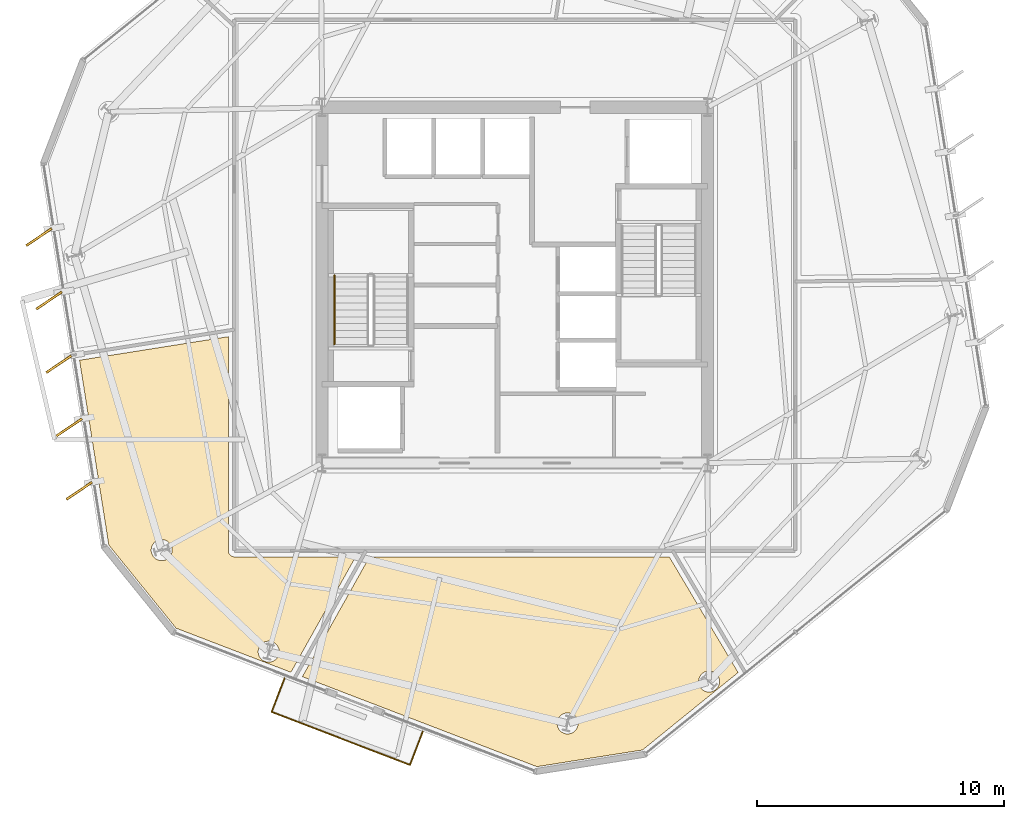
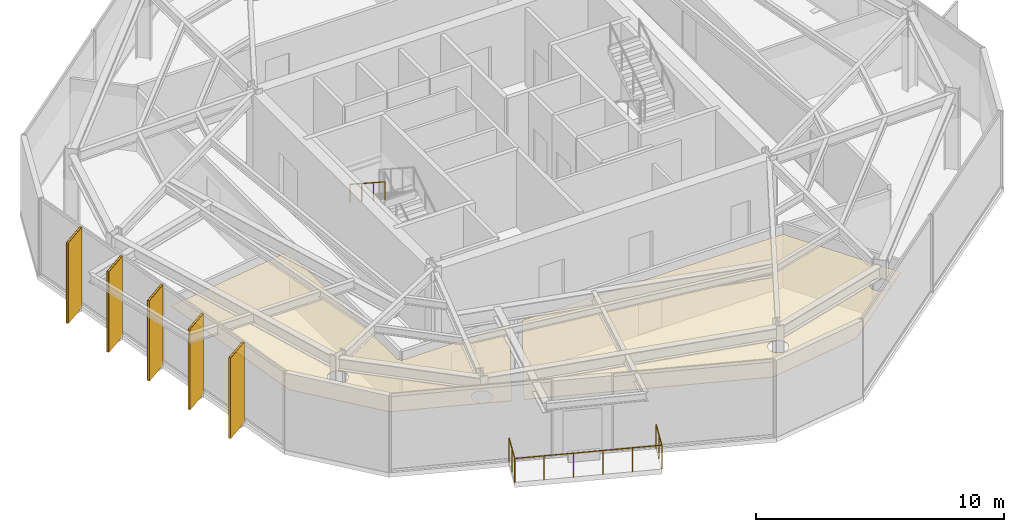
# One storey, part 9 of 12: 7 coverings, 5 shading devices, 2 railings.
"""IFC4 building model written with IfcOpenShell, lengths in metres."""

from ifc_helpers import new_model, si_unit, direction, frame, origin, origin_2d, place, context, subcontext, project, spatial, polyline, rectangle, circle, outline, extrude, material, layer, layer_set, type_object, element, save


model = new_model("IFC4")

# Units and contexts
model_context = context("Model", 3, precision=1e-05, world=origin(), true_north=direction((0.0, 1.0)))
body_context = subcontext(model_context, "Body", "Model", "MODEL_VIEW")
ifc_project = project(units=[si_unit("LENGTHUNIT", "METRE"), si_unit("AREAUNIT", "SQUARE_METRE"), si_unit("VOLUMEUNIT", "CUBIC_METRE"), si_unit("PLANEANGLEUNIT", "RADIAN"), si_unit("MASSUNIT", "GRAM", prefix="KILO")], contexts=[model_context])

# Site, building, storey
site_placement = place(None, origin())
site = spatial("IfcSite", under=ifc_project, at=site_placement, CompositionType="ELEMENT")
building_placement = place(site_placement, origin())
building = spatial("IfcBuilding", under=site, at=building_placement, Name="Kranzbogen Civic Tower", CompositionType="ELEMENT")
storey_placement = place(building_placement, frame((0.0, 0.0, 180.800048828125)))
storey = spatial("IfcBuildingStorey", under=building, at=storey_placement, Name="L43", CompositionType="ELEMENT", Elevation=180.800048828125)

# Coverings
ifc_material_1 = material(Name="Pale Anodised Aluminium", Category="aluminium")
ifc_layer_1 = layer(ifc_material_1, 0.02490234375, Name="Pale Anodised Aluminium")
ifc_layer_set_1 = layer_set([ifc_layer_1], Name="Pale Anodised Aluminium")
covering_type_1 = type_object("IfcCoveringType", Name="Anodised Aluminium Vertical Fin Cladding 25 mm", PredefinedType="CLADDING", material=ifc_layer_set_1)
for number, where, z_axis, x_axis, name in (
    (1, (5.741943359375, 26.947021484375, -0.14013671875), (0.0, 0.0, 1.0), (-0.829174184407, -0.558990314686, 0.0), "L43 vertical fin pale-metal cladding F3-1"),
    (2, (6.14892578125, 24.37890625, -0.14013671875), (0.0, 0.0, 1.0), (-0.829174184407, -0.558990314686, 0.0), "L43 vertical fin pale-metal cladding F3-2"),
    (3, (6.554931640625, 21.81103515625, -0.14013671875), (0.0, 0.0, 1.0), (-0.829174184407, -0.558990314686, 0.0), "L43 vertical fin pale-metal cladding F3-3"),
    (4, (6.9619140625, 19.242919921875, -0.14013671875), (0.0, 0.0, 1.0), (-0.829174184407, -0.558990314686, 0.0), "L43 vertical fin pale-metal cladding F3-4"),
    (5, (7.367919921875, 16.675048828125, -0.14013671875), (0.0, 0.0, 1.0), (-0.829174184407, -0.558990314686, 0.0), "L43 vertical fin pale-metal cladding F3-5"),
):
    element("IfcCovering", number, at=place(storey_placement, frame(where, z_axis=z_axis, x_axis=x_axis)), inside=storey, type_object=covering_type_1, Name=name, PredefinedType="CLADDING", context=body_context, shape_type="SweptSolid", body=[
        extrude(rectangle(XDim=1.25, YDim=0.10009765625, at=origin_2d()), origin(), (0.0, 0.0, 1.0), 3.9599609375),
    ])

# Shading devices
ifc_material_2 = material(Name="Anodised Bronze Aluminium", Category="aluminium")
shading_device_type = type_object("IfcShadingDeviceType", Name="Anodised Bronze Vertical Facade Fin 1250x80", PredefinedType="USERDEFINED", material=ifc_material_2)
for number, where, z_axis, x_axis, name in (
    (6, (5.741943359375, 26.947021484375, -0.14013671875), (0.0, 0.0, 1.0), (-0.829174184407, -0.558990314686, 0.0), "L43 vertical exterior shading fin F3-1"),
    (7, (6.14892578125, 24.37890625, -0.14013671875), (0.0, 0.0, 1.0), (-0.829174184407, -0.558990314686, 0.0), "L43 vertical exterior shading fin F3-2"),
    (8, (6.554931640625, 21.81103515625, -0.14013671875), (0.0, 0.0, 1.0), (-0.829174184407, -0.558990314686, 0.0), "L43 vertical exterior shading fin F3-3"),
    (9, (6.9619140625, 19.242919921875, -0.14013671875), (0.0, 0.0, 1.0), (-0.829174184407, -0.558990314686, 0.0), "L43 vertical exterior shading fin F3-4"),
    (10, (7.367919921875, 16.675048828125, -0.14013671875), (0.0, 0.0, 1.0), (-0.829174184407, -0.558990314686, 0.0), "L43 vertical exterior shading fin F3-5"),
):
    element("IfcShadingDevice", number, at=place(storey_placement, frame(where, z_axis=z_axis, x_axis=x_axis)), inside=storey, type_object=shading_device_type, Name=name, ObjectType="FIN", PredefinedType="USERDEFINED", context=body_context, shape_type="SweptSolid", body=[
        extrude(rectangle(XDim=1.25, YDim=0.080078125, at=origin_2d()), origin(), (0.0, 0.0, 1.0), 3.9599609375),
    ])

# Railing
railing_type_1 = type_object("IfcRailingType", Name="Cantilevered Balcony Glass and Bronze Balustrade 1200", PredefinedType="BALUSTRADE", material=ifc_material_2)
railing_1_placement = place(storey_placement, frame((15.677001953125, 9.083984375, 0.0)))
element("IfcRailing", 11, at=railing_1_placement, inside=storey, type_object=railing_type_1, Name="L43 exterior terrace balustrade L43-TB2", PredefinedType="BALUSTRADE", context=body_context, shape_type="SweptSolid", body=[
    extrude(circle(Radius=0.02392578125, at=origin_2d()), frame((0.0, 0.0, 1.17578125), z_axis=(-0.358527862476, -0.933519025959, 0.0), x_axis=(0.933519025959, -0.358527862476, 0.0)), (0.0, 0.0, 1.0), 1.450439453125),
    extrude(circle(Radius=0.02392578125, at=origin_2d()), frame((-0.52001953125, -1.35400390625, 1.17578125), z_axis=(0.933588713349, -0.358346360812, 0.0), x_axis=(0.358346360812, 0.933588713349, 0.0)), (0.0, 0.0, 1.0), 5.99951171875),
    extrude(circle(Radius=0.02392578125, at=origin_2d()), frame((5.0810546875, -3.50390625, 1.17578125), z_axis=(0.358527862476, 0.933519025959, 0.0), x_axis=(-0.933519025959, 0.358527862476, 0.0)), (0.0, 0.0, 1.0), 1.450439453125),
    extrude(circle(Radius=0.02099609375, at=origin_2d()), origin(), (0.0, 0.0, 1.0), 1.15185546875),
    extrude(circle(Radius=0.02099609375, at=origin_2d()), frame((-0.260009765625, -0.677001953125, 0.0)), (0.0, 0.0, 1.0), 1.15185546875),
    extrude(circle(Radius=0.02099609375, at=origin_2d()), frame((-0.52001953125, -1.35400390625, 0.0)), (0.0, 0.0, 1.0), 1.15185546875),
    extrude(circle(Radius=0.02099609375, at=origin_2d()), frame((0.60009765625, -1.783935546875, 0.0)), (0.0, 0.0, 1.0), 1.15185546875),
    extrude(circle(Radius=0.02099609375, at=origin_2d()), frame((1.720458984375, -2.2138671875, 0.0)), (0.0, 0.0, 1.0), 1.15185546875),
    extrude(circle(Radius=0.02099609375, at=origin_2d()), frame((2.840576171875, -2.64404296875, 0.0)), (0.0, 0.0, 1.0), 1.15185546875),
    extrude(circle(Radius=0.02099609375, at=origin_2d()), frame((3.9609375, -3.073974609375, 0.0)), (0.0, 0.0, 1.0), 1.15185546875),
    extrude(circle(Radius=0.02099609375, at=origin_2d()), frame((5.0810546875, -3.50390625, 0.0)), (0.0, 0.0, 1.0), 1.15185546875),
    extrude(circle(Radius=0.02099609375, at=origin_2d()), frame((5.341064453125, -2.826904296875, 0.0)), (0.0, 0.0, 1.0), 1.15185546875),
    extrude(circle(Radius=0.02099609375, at=origin_2d()), frame((5.60107421875, -2.14990234375, 0.0)), (0.0, 0.0, 1.0), 1.15185546875),
])

# Coverings
ifc_material_3 = material(Name="Perforated Acoustic Gypsum Ceiling")
ifc_layer_2 = layer(ifc_material_3, 0.02490234375, Name="Perforated Acoustic Gypsum Ceiling")
ifc_layer_set_2 = layer_set([ifc_layer_2], Name="Perforated Acoustic Gypsum Ceiling")
covering_type_2 = type_object("IfcCoveringType", Name="Perforated Acoustic Mineral Ceiling Tile 25 mm", PredefinedType="CEILING", material=ifc_layer_set_2)
covering_1_placement = place(storey_placement, frame((0.0, 0.0, 2.75)))
element("IfcCovering", 12, at=covering_1_placement, inside=storey, type_object=covering_type_2, Name="L43 Civic Reference Library acoustic ceiling", PredefinedType="CEILING", context=body_context, shape_type="SweptSolid", body=[
    extrude(outline(polyline([(8.568115234375, 14.47802734375), (7.383056640625, 21.9619140625), (13.405029296875, 22.916015625), (13.405029296875, 14.25), (13.405029296875, 14.240966796875), (13.406005859375, 14.235107421875), (13.406982421875, 14.217041015625), (13.407958984375, 14.2109375), (13.412109375, 14.194091796875), (13.4130859375, 14.18701171875), (13.41796875, 14.169921875), (13.419921875, 14.1640625), (13.427001953125, 14.14794921875), (13.429931640625, 14.14208984375), (13.43798828125, 14.126953125), (13.44189453125, 14.12109375), (13.450927734375, 14.10693359375), (13.455078125, 14.10205078125), (13.466064453125, 14.087890625), (13.470947265625, 14.0830078125), (13.48291015625, 14.071044921875), (13.488037109375, 14.06591796875), (13.501953125, 14.054931640625), (13.507080078125, 14.051025390625), (13.52099609375, 14.0419921875), (13.527099609375, 14.0380859375), (13.5419921875, 14.030029296875), (13.548095703125, 14.027099609375), (13.56396484375, 14.02001953125), (13.570068359375, 14.01806640625), (13.5869140625, 14.012939453125), (13.593994140625, 14.011962890625), (13.611083984375, 14.008056640625), (13.616943359375, 14.007080078125), (13.635009765625, 14.006103515625), (13.64111328125, 14.0048828125), (13.64990234375, 14.0048828125), (18.55908203125, 14.0048828125), (15.93994140625, 9.330078125), (11.291015625, 11.114990234375), (8.568115234375, 14.47802734375)]), holes=[polyline([(15.431884765625, 10.001953125), (15.4140625, 9.964111328125), (15.39306640625, 9.928955078125), (15.367919921875, 9.89501953125), (15.340087890625, 9.864013671875), (15.30908203125, 9.8359375), (15.27490234375, 9.81103515625), (15.239990234375, 9.7900390625), (15.201904296875, 9.77197265625), (15.1630859375, 9.758056640625), (15.1220703125, 9.748046875), (15.0810546875, 9.741943359375), (15.0390625, 9.739990234375), (14.9970703125, 9.741943359375), (14.9560546875, 9.748046875), (14.9150390625, 9.758056640625), (14.8759765625, 9.77197265625), (14.837890625, 9.7900390625), (14.802978515625, 9.81103515625), (14.76904296875, 9.8359375), (14.738037109375, 9.864013671875), (14.7099609375, 9.89501953125), (14.68505859375, 9.928955078125), (14.6640625, 9.964111328125), (14.64599609375, 10.001953125), (14.632080078125, 10.041015625), (14.6220703125, 10.08203125), (14.615966796875, 10.123046875), (14.614013671875, 10.1650390625), (14.615966796875, 10.20703125), (14.6220703125, 10.248046875), (14.632080078125, 10.2890625), (14.64599609375, 10.327880859375), (14.6640625, 10.365966796875), (14.68505859375, 10.40087890625), (14.7099609375, 10.43505859375), (14.738037109375, 10.466064453125), (14.76904296875, 10.493896484375), (14.802978515625, 10.51904296875), (14.837890625, 10.5400390625), (14.8759765625, 10.55810546875), (14.9150390625, 10.572021484375), (14.9560546875, 10.58203125), (14.9970703125, 10.587890625), (15.0390625, 10.590087890625), (15.0810546875, 10.587890625), (15.1220703125, 10.58203125), (15.1630859375, 10.572021484375), (15.201904296875, 10.55810546875), (15.239990234375, 10.5400390625), (15.27490234375, 10.51904296875), (15.30908203125, 10.493896484375), (15.340087890625, 10.466064453125), (15.367919921875, 10.43505859375), (15.39306640625, 10.40087890625), (15.4140625, 10.365966796875), (15.431884765625, 10.327880859375), (15.446044921875, 10.2890625), (15.4560546875, 10.248046875), (15.4619140625, 10.20703125), (15.464111328125, 10.1650390625), (15.4619140625, 10.123046875), (15.4560546875, 10.08203125), (15.446044921875, 10.041015625), (15.431884765625, 10.001953125)]), polyline([(11.10009765625, 14.113037109375), (11.08203125, 14.074951171875), (11.06103515625, 14.0400390625), (11.035888671875, 14.006103515625), (11.008056640625, 13.97509765625), (10.97705078125, 13.947021484375), (10.943115234375, 13.922119140625), (10.907958984375, 13.90087890625), (10.8701171875, 13.883056640625), (10.8310546875, 13.868896484375), (10.7900390625, 13.85888671875), (10.7490234375, 13.85302734375), (10.70703125, 13.85107421875), (10.6650390625, 13.85302734375), (10.6240234375, 13.85888671875), (10.5830078125, 13.868896484375), (10.5439453125, 13.883056640625), (10.506103515625, 13.90087890625), (10.470947265625, 13.922119140625), (10.43701171875, 13.947021484375), (10.406005859375, 13.97509765625), (10.3779296875, 14.006103515625), (10.35302734375, 14.0400390625), (10.33203125, 14.074951171875), (10.31396484375, 14.113037109375), (10.300048828125, 14.152099609375), (10.2900390625, 14.193115234375), (10.283935546875, 14.23388671875), (10.281982421875, 14.27587890625), (10.283935546875, 14.318115234375), (10.2900390625, 14.35888671875), (10.300048828125, 14.39990234375), (10.31396484375, 14.43896484375), (10.33203125, 14.47705078125), (10.35302734375, 14.511962890625), (10.3779296875, 14.5458984375), (10.406005859375, 14.576904296875), (10.43701171875, 14.60498046875), (10.470947265625, 14.6298828125), (10.506103515625, 14.65087890625), (10.5439453125, 14.6689453125), (10.5830078125, 14.68310546875), (10.6240234375, 14.693115234375), (10.6650390625, 14.698974609375), (10.70703125, 14.700927734375), (10.7490234375, 14.698974609375), (10.7900390625, 14.693115234375), (10.8310546875, 14.68310546875), (10.8701171875, 14.6689453125), (10.907958984375, 14.65087890625), (10.943115234375, 14.6298828125), (10.97705078125, 14.60498046875), (11.008056640625, 14.576904296875), (11.035888671875, 14.5458984375), (11.06103515625, 14.511962890625), (11.08203125, 14.47705078125), (11.10009765625, 14.43896484375), (11.114013671875, 14.39990234375), (11.1240234375, 14.35888671875), (11.1298828125, 14.318115234375), (11.132080078125, 14.27587890625), (11.1298828125, 14.23388671875), (11.1240234375, 14.193115234375), (11.114013671875, 14.152099609375), (11.10009765625, 14.113037109375)])]), origin(), (0.0, 0.0, 1.0), 0.02490234375),
])
covering_2_placement = place(storey_placement, frame((0.0, 0.0, 2.75)))
element("IfcCovering", 13, at=covering_2_placement, inside=storey, type_object=covering_type_2, Name="L43 Urban Design Workshop acoustic ceiling", PredefinedType="CEILING", context=body_context, shape_type="SweptSolid", body=[
    extrude(outline(polyline([(25.89697265625, 5.509033203125), (16.403076171875, 9.153076171875), (19.12109375, 14.0048828125), (31.25390625, 14.0048828125), (34.041015625, 9.320068359375), (30.169921875, 6.18505859375), (25.89697265625, 5.509033203125)]), holes=[polyline([(27.532958984375, 7.096923828125), (27.514892578125, 7.05908203125), (27.493896484375, 7.02392578125), (27.468994140625, 6.989990234375), (27.44091796875, 6.958984375), (27.409912109375, 6.930908203125), (27.3759765625, 6.906005859375), (27.341064453125, 6.885009765625), (27.302978515625, 6.866943359375), (27.263916015625, 6.85302734375), (27.222900390625, 6.843017578125), (27.181884765625, 6.8369140625), (27.139892578125, 6.8349609375), (27.097900390625, 6.8369140625), (27.056884765625, 6.843017578125), (27.01611328125, 6.85302734375), (26.97705078125, 6.866943359375), (26.93896484375, 6.885009765625), (26.904052734375, 6.906005859375), (26.8701171875, 6.930908203125), (26.839111328125, 6.958984375), (26.81103515625, 6.989990234375), (26.785888671875, 7.02392578125), (26.764892578125, 7.05908203125), (26.7470703125, 7.096923828125), (26.73291015625, 7.135986328125), (26.722900390625, 7.177001953125), (26.717041015625, 7.218017578125), (26.715087890625, 7.260009765625), (26.717041015625, 7.302001953125), (26.722900390625, 7.343017578125), (26.73291015625, 7.384033203125), (26.7470703125, 7.423095703125), (26.764892578125, 7.4609375), (26.785888671875, 7.49609375), (26.81103515625, 7.530029296875), (26.839111328125, 7.56103515625), (26.8701171875, 7.589111328125), (26.904052734375, 7.614013671875), (26.93896484375, 7.635009765625), (26.97705078125, 7.653076171875), (27.01611328125, 7.6669921875), (27.056884765625, 7.677001953125), (27.097900390625, 7.68310546875), (27.139892578125, 7.68505859375), (27.181884765625, 7.68310546875), (27.222900390625, 7.677001953125), (27.263916015625, 7.6669921875), (27.302978515625, 7.653076171875), (27.341064453125, 7.635009765625), (27.3759765625, 7.614013671875), (27.409912109375, 7.589111328125), (27.44091796875, 7.56103515625), (27.468994140625, 7.530029296875), (27.493896484375, 7.49609375), (27.514892578125, 7.4609375), (27.532958984375, 7.423095703125), (27.547119140625, 7.384033203125), (27.556884765625, 7.343017578125), (27.56298828125, 7.302001953125), (27.56494140625, 7.260009765625), (27.56298828125, 7.218017578125), (27.556884765625, 7.177001953125), (27.547119140625, 7.135986328125), (27.532958984375, 7.096923828125)]), polyline([(33.260009765625, 8.79296875), (33.241943359375, 8.7548828125), (33.220947265625, 8.719970703125), (33.196044921875, 8.68603515625), (33.16796875, 8.655029296875), (33.136962890625, 8.626953125), (33.10302734375, 8.60205078125), (33.068115234375, 8.5810546875), (33.030029296875, 8.56298828125), (32.990966796875, 8.549072265625), (32.949951171875, 8.5390625), (32.908935546875, 8.532958984375), (32.866943359375, 8.531005859375), (32.824951171875, 8.532958984375), (32.783935546875, 8.5390625), (32.742919921875, 8.549072265625), (32.7041015625, 8.56298828125), (32.666015625, 8.5810546875), (32.631103515625, 8.60205078125), (32.596923828125, 8.626953125), (32.56591796875, 8.655029296875), (32.5380859375, 8.68603515625), (32.512939453125, 8.719970703125), (32.491943359375, 8.7548828125), (32.47412109375, 8.79296875), (32.4599609375, 8.83203125), (32.449951171875, 8.873046875), (32.444091796875, 8.9140625), (32.44189453125, 8.9560546875), (32.444091796875, 8.998046875), (32.449951171875, 9.0390625), (32.4599609375, 9.080078125), (32.47412109375, 9.118896484375), (32.491943359375, 9.156982421875), (32.512939453125, 9.19189453125), (32.5380859375, 9.22607421875), (32.56591796875, 9.257080078125), (32.596923828125, 9.284912109375), (32.631103515625, 9.31005859375), (32.666015625, 9.3310546875), (32.7041015625, 9.34912109375), (32.742919921875, 9.363037109375), (32.783935546875, 9.373046875), (32.824951171875, 9.37890625), (32.866943359375, 9.381103515625), (32.908935546875, 9.37890625), (32.949951171875, 9.373046875), (32.990966796875, 9.363037109375), (33.030029296875, 9.34912109375), (33.068115234375, 9.3310546875), (33.10302734375, 9.31005859375), (33.136962890625, 9.284912109375), (33.16796875, 9.257080078125), (33.196044921875, 9.22607421875), (33.220947265625, 9.19189453125), (33.241943359375, 9.156982421875), (33.260009765625, 9.118896484375), (33.27392578125, 9.080078125), (33.283935546875, 9.0390625), (33.2900390625, 8.998046875), (33.2919921875, 8.9560546875), (33.2900390625, 8.9140625), (33.283935546875, 8.873046875), (33.27392578125, 8.83203125), (33.260009765625, 8.79296875)])]), origin(), (0.0, 0.0, 1.0), 0.02490234375),
])

# Railing
railing_type_2 = type_object("IfcRailingType", Name="Tubular Stainless Stair Wall Handrail 900", PredefinedType="HANDRAIL", material=ifc_material_1)
railing_2_placement = place(storey_placement, frame((17.699951171875, 25.39990234375, 2.181884765625)))
element("IfcRailing", 14, at=railing_2_placement, inside=storey, type_object=railing_type_2, Name="L43 ST-T1 stair handrail 2", PredefinedType="HANDRAIL", context=body_context, shape_type="SweptSolid", body=[
    extrude(circle(Radius=0.02392578125, at=origin_2d()), frame((0.0, 0.0, 0.8759765625), z_axis=(0.0, -0.83868413941, 0.544618136222), x_axis=(1.0, 0.0, 0.0)), (0.0, 0.0, 1.0), 3.33837890625),
    extrude(circle(Radius=0.02099609375, at=origin_2d()), origin(), (0.0, 0.0, 1.0), 0.851806640625),
    extrude(circle(Radius=0.02099609375, at=origin_2d()), frame((0.0, -0.933349609375, 0.60595703125)), (0.0, 0.0, 1.0), 0.851806640625),
    extrude(circle(Radius=0.02099609375, at=origin_2d()), frame((0.0, -1.866455078125, 1.212158203125)), (0.0, 0.0, 1.0), 0.851806640625),
    extrude(circle(Radius=0.02099609375, at=origin_2d()), frame((0.0, -2.7998046875, 1.818115234375)), (0.0, 0.0, 1.0), 0.851806640625),
])

save(model, "model.ifc")
